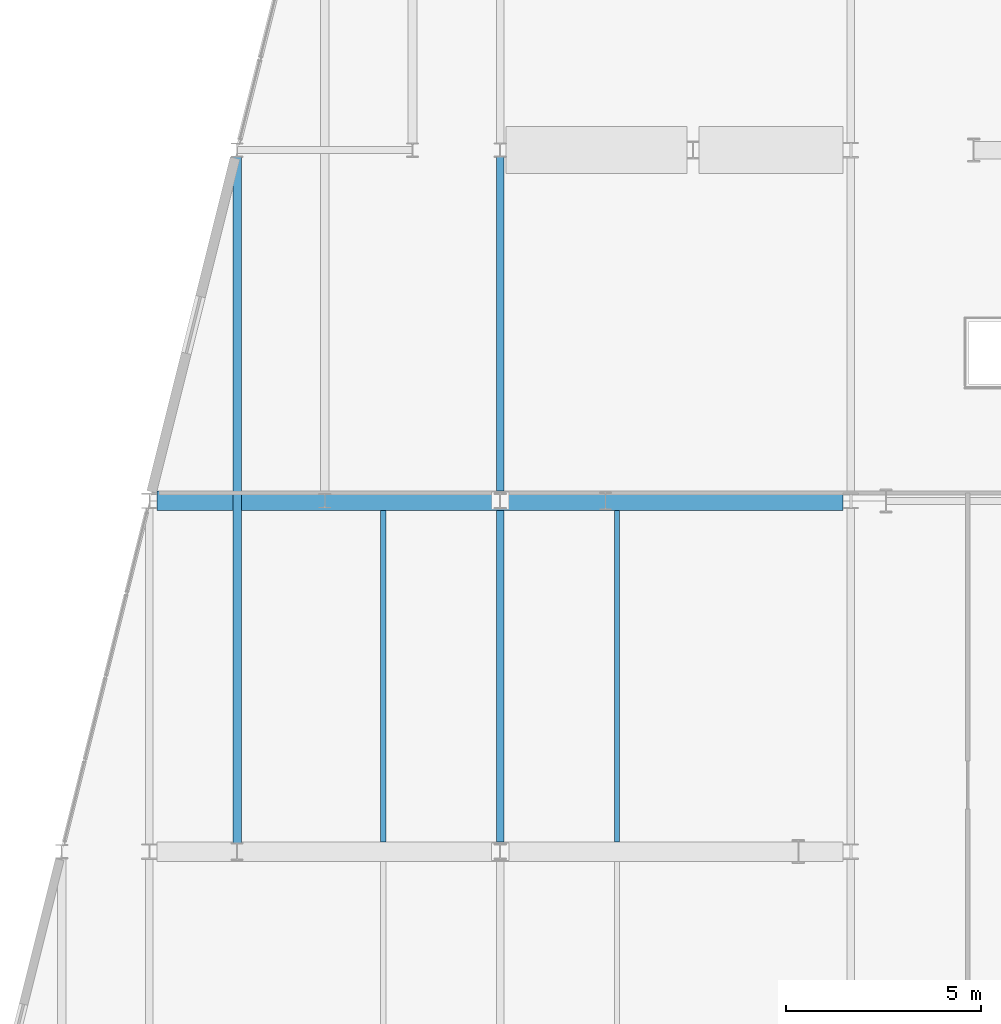
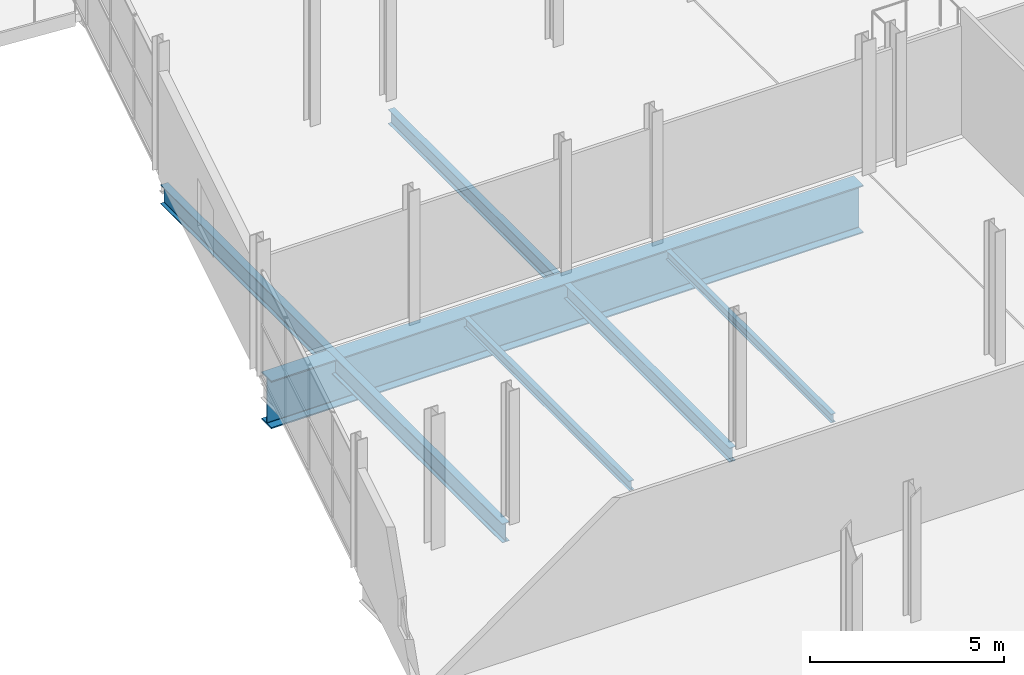
# One storey, part 87 of 135: 6 beams.
"""IFC4 building model written with IfcOpenShell, lengths in metres."""

from ifc_helpers import new_model, si_unit, direction, frame, origin, origin_2d, place, context, subcontext, project, spatial, i_section, extrude, material, material_profile, profile_set, type_object, element, save


model = new_model("IFC4")

# Units and contexts
model_context = context("Model", 3, precision=1e-05, world=origin(), true_north=direction((0.0, 1.0)))
body_context = subcontext(model_context, "Body", "Model", "MODEL_VIEW")
ifc_project = project(units=[si_unit("LENGTHUNIT", "METRE"), si_unit("AREAUNIT", "SQUARE_METRE"), si_unit("VOLUMEUNIT", "CUBIC_METRE"), si_unit("PLANEANGLEUNIT", "RADIAN"), si_unit("MASSUNIT", "GRAM", prefix="KILO")], contexts=[model_context])

# Site, building, storey
site_placement = place(None, origin())
site = spatial("IfcSite", under=ifc_project, at=site_placement, CompositionType="ELEMENT")
building_placement = place(site_placement, origin())
building = spatial("IfcBuilding", under=site, at=building_placement, Name="Deido Ridge Mobility Hub", CompositionType="ELEMENT")
storey_placement = place(building_placement, frame((0.0, 0.0, 4.199951171875)))
storey = spatial("IfcBuildingStorey", under=building, at=storey_placement, Name="L01", CompositionType="ELEMENT", Elevation=4.199951171875)

# Beams
ifc_material = material(Name="Steel S355J2 EN 10025-2", Category="steel")
ifc_material_profile_1 = material_profile(ifc_material, i_section(OverallWidth=0.18994140625, OverallDepth=0.449951171875, WebThickness=0.009521484375, FlangeThickness=0.0146484375, FilletRadius=0.02099609375, at=origin_2d()), Name="IPE 450")
ifc_profile_set_1 = profile_set([ifc_material_profile_1], Name="Steel S355J2 EN 10025-2")
beam_type_1 = type_object("IfcBeamType", Name="BM-IPE450", PredefinedType="BEAM", material=ifc_profile_set_1)
beam_1_placement = place(storey_placement, frame((135.0, 27.25, -0.474853515625), z_axis=(0.0, 1.0, 0.0), x_axis=(-1.0, 0.0, 0.0)))
element("IfcBeam", 1, at=beam_1_placement, inside=storey, type_object=beam_type_1, Name="Floor beam B4", PredefinedType="BEAM", context=body_context, shape_type="SweptSolid", body=[
    extrude(i_section(OverallWidth=0.18994140625, OverallDepth=0.449951171875, WebThickness=0.009521484375, FlangeThickness=0.0146484375, FilletRadius=0.02099609375, at=origin_2d()), origin(), (0.0, 0.0, 1.0), 8.5),
])
beam_2_placement = place(storey_placement, frame((135.0, 36.25, -0.474853515625), z_axis=(0.0, 1.0, 0.0), x_axis=(-1.0, 0.0, 0.0)))
element("IfcBeam", 2, at=beam_2_placement, inside=storey, type_object=beam_type_1, Name="Floor beam B4", PredefinedType="BEAM", context=body_context, shape_type="SweptSolid", body=[
    extrude(i_section(OverallWidth=0.18994140625, OverallDepth=0.449951171875, WebThickness=0.009521484375, FlangeThickness=0.0146484375, FilletRadius=0.02099609375, at=origin_2d()), origin(), (0.0, 0.0, 1.0), 8.570068359375),
])
ifc_material_profile_2 = material_profile(ifc_material, i_section(OverallWidth=0.219970703125, OverallDepth=0.60009765625, WebThickness=0.011962890625, FlangeThickness=0.01904296875, FilletRadius=0.02392578125, at=origin_2d()), Name="IPE 600")
ifc_profile_set_2 = profile_set([ifc_material_profile_2], Name="Steel S355J2 EN 10025-2")
beam_type_2 = type_object("IfcBeamType", Name="BM-IPE600", PredefinedType="BEAM", material=ifc_profile_set_2)
beam_3_placement = place(storey_placement, frame((128.25, 27.22509765625, -0.550048828125), z_axis=(0.0, 1.0, 0.0), x_axis=(-1.0, 0.0, 0.0)))
element("IfcBeam", 3, at=beam_3_placement, inside=storey, type_object=beam_type_2, Name="Floor beam B1", PredefinedType="BEAM", context=body_context, shape_type="SweptSolid", body=[
    extrude(i_section(OverallWidth=0.219970703125, OverallDepth=0.60009765625, WebThickness=0.011962890625, FlangeThickness=0.01904296875, FilletRadius=0.02392578125, at=origin_2d()), origin(), (0.0, 0.0, 1.0), 17.594970703125),
])
ifc_material_profile_3 = material_profile(ifc_material, i_section(OverallWidth=0.5, OverallDepth=1.5, WebThickness=0.02197265625, FlangeThickness=0.0380859375, FilletRadius=0.01806640625, at=origin_2d()), Name="WTG 1500x500")
ifc_profile_set_3 = profile_set([ifc_material_profile_3], Name="Steel S355J2 EN 10025-2")
beam_type_3 = type_object("IfcBeamType", Name="BM-TG-1500", PredefinedType="USERDEFINED", material=ifc_profile_set_3)
beam_4_placement = place(storey_placement, frame((126.199462890625, 36.0, -1.0), z_axis=(1.0, 0.0, 0.0), x_axis=(0.0, 1.0, 0.0)))
element("IfcBeam", 4, at=beam_4_placement, inside=storey, type_object=beam_type_3, Name="Transfer girder TG1", ObjectType="TRANSFER GIRDER", PredefinedType="USERDEFINED", context=body_context, shape_type="SweptSolid", body=[
    extrude(i_section(OverallWidth=0.5, OverallDepth=1.5, WebThickness=0.02197265625, FlangeThickness=0.0380859375, FilletRadius=0.01806640625, at=origin_2d()), origin(), (0.0, 0.0, 1.0), 17.60107421875),
])
ifc_material_profile_4 = material_profile(ifc_material, i_section(OverallWidth=0.135009765625, OverallDepth=0.27001953125, WebThickness=0.006591796875, FlangeThickness=0.01025390625, FilletRadius=0.014892578125, at=origin_2d()), Name="IPE 270")
ifc_profile_set_4 = profile_set([ifc_material_profile_4], Name="Steel S355J2 EN 10025-2")
beam_type_4 = type_object("IfcBeamType", Name="JST-IPE270", PredefinedType="JOIST", material=ifc_profile_set_4)
beam_5_placement = place(storey_placement, frame((138.0, 27.25, -0.385009765625), z_axis=(0.0, 1.0, 0.0), x_axis=(-1.0, 0.0, 0.0)))
element("IfcBeam", 5, at=beam_5_placement, inside=storey, type_object=beam_type_4, Name="Composite joist J4", PredefinedType="JOIST", context=body_context, shape_type="SweptSolid", body=[
    extrude(i_section(OverallWidth=0.135009765625, OverallDepth=0.27001953125, WebThickness=0.006591796875, FlangeThickness=0.01025390625, FilletRadius=0.014892578125, at=origin_2d()), origin(), (0.0, 0.0, 1.0), 8.5),
])
ifc_material_profile_5 = material_profile(ifc_material, i_section(OverallWidth=0.14990234375, OverallDepth=0.300048828125, WebThickness=0.007080078125, FlangeThickness=0.0107421875, FilletRadius=0.014892578125, at=origin_2d()), Name="IPE 300")
ifc_profile_set_5 = profile_set([ifc_material_profile_5], Name="Steel S355J2 EN 10025-2")
beam_type_5 = type_object("IfcBeamType", Name="JST-IPE300", PredefinedType="JOIST", material=ifc_profile_set_5)
beam_6_placement = place(storey_placement, frame((132.0, 27.25, -0.39990234375), z_axis=(0.0, 1.0, 0.0), x_axis=(-1.0, 0.0, 0.0)))
element("IfcBeam", 6, at=beam_6_placement, inside=storey, type_object=beam_type_5, Name="Composite joist J3", PredefinedType="JOIST", context=body_context, shape_type="SweptSolid", body=[
    extrude(i_section(OverallWidth=0.14990234375, OverallDepth=0.300048828125, WebThickness=0.007080078125, FlangeThickness=0.0107421875, FilletRadius=0.014892578125, at=origin_2d()), origin(), (0.0, 0.0, 1.0), 8.5),
])

save(model, "model.ifc")
